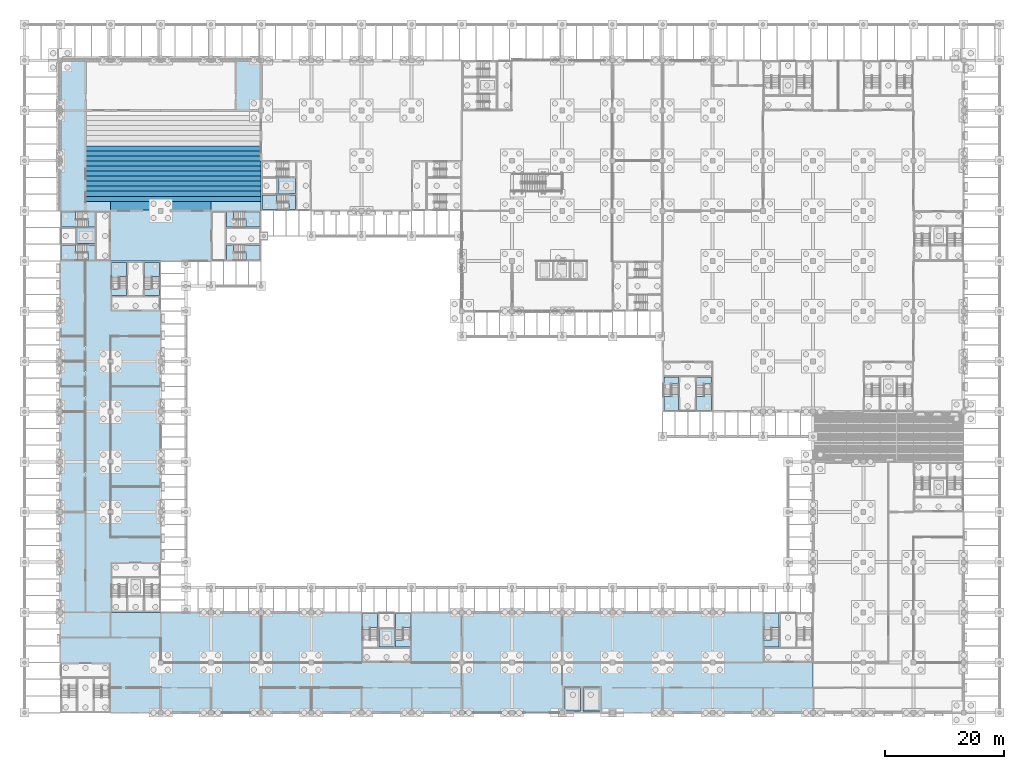
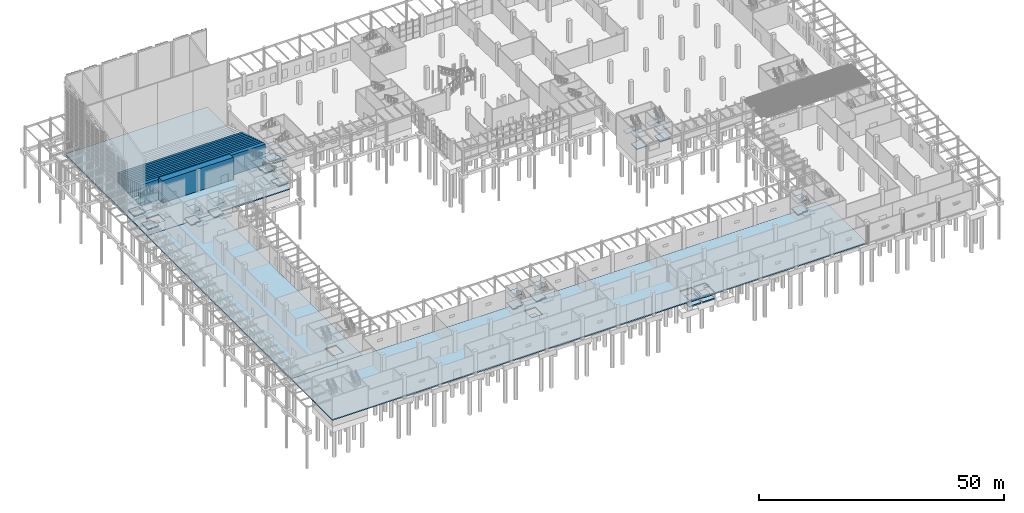
# One storey, part 21 of 82: 55 slabs, 12 elements without a shape of their own.
"""IFC4 building model written with IfcOpenShell, lengths in metres."""

from ifc_helpers import new_model, si_unit, direction, frame, origin, place, context, subcontext, project, spatial, polyline, outline, extrude, material, layer, layer_set, type_object, element, aggregate, save


model = new_model("IFC4")

# Units and contexts
model_context = context("Model", 3, precision=1e-05, world=origin(), true_north=direction((0.0, 1.0)))
body_context = subcontext(model_context, "Body", "Model", "MODEL_VIEW")
ifc_project = project(units=[si_unit("LENGTHUNIT", "METRE"), si_unit("AREAUNIT", "SQUARE_METRE"), si_unit("VOLUMEUNIT", "CUBIC_METRE"), si_unit("PLANEANGLEUNIT", "RADIAN"), si_unit("MASSUNIT", "GRAM", prefix="KILO")], contexts=[model_context])

# Site, building, storey
site_placement = place(None, origin())
site = spatial("IfcSite", under=ifc_project, at=site_placement, CompositionType="ELEMENT")
building_placement = place(site_placement, origin())
building = spatial("IfcBuilding", under=site, at=building_placement, Name="Almond Square Museum", CompositionType="ELEMENT")
storey_placement = place(building_placement, origin())
storey = spatial("IfcBuildingStorey", under=building, at=storey_placement, Name="L00", CompositionType="ELEMENT", Elevation=0.0)

# Slabs
ifc_material_1 = material(Name="Concrete C35/45", Category="concrete")
ifc_layer_1 = layer(ifc_material_1, 0.25)
ifc_layer_set_1 = layer_set([ifc_layer_1], Name="Concrete C35/45")
slab_type_1 = type_object("IfcSlabType", Name="Auditorium tier 250 riser", PredefinedType="FLOOR", material=ifc_layer_set_1)
slab_1_placement = place(storey_placement, origin())
element("IfcSlab", 1, at=slab_1_placement, inside=storey, type_object=slab_type_1, Name="Auditorium rear cross aisle", PredefinedType="FLOOR", context=body_context, shape_type="SweptSolid", body=[
    extrude(outline(polyline([(14.39990234375, 84.139892578125), (31.199951171875, 84.139892578125), (31.199951171875, 85.60009765625), (14.39990234375, 85.60009765625), (14.39990234375, 84.139892578125)])), origin(), (0.0, 0.0, 1.0), 5.5),
])
slab_2_placement = place(storey_placement, origin())
element("IfcSlab", 2, at=slab_2_placement, inside=storey, type_object=slab_type_1, Name="Auditorium tier 1", PredefinedType="FLOOR", context=body_context, shape_type="SweptSolid", body=[
    extrude(outline(polyline([(10.199951171875, 85.60009765625), (39.60009765625, 85.60009765625), (39.60009765625, 86.4443359375), (10.199951171875, 86.4443359375), (10.199951171875, 85.60009765625)])), origin(), (0.0, 0.0, 1.0), 5.0),
])
slab_3_placement = place(storey_placement, origin())
element("IfcSlab", 3, at=slab_3_placement, inside=storey, type_object=slab_type_1, Name="Auditorium tier 2", PredefinedType="FLOOR", context=body_context, shape_type="SweptSolid", body=[
    extrude(outline(polyline([(10.199951171875, 86.4443359375), (39.60009765625, 86.4443359375), (39.60009765625, 87.288818359375), (10.199951171875, 87.288818359375), (10.199951171875, 86.4443359375)])), origin(), (0.0, 0.0, 1.0), 4.75),
])
slab_4_placement = place(storey_placement, origin())
element("IfcSlab", 4, at=slab_4_placement, inside=storey, type_object=slab_type_1, Name="Auditorium tier 3", PredefinedType="FLOOR", context=body_context, shape_type="SweptSolid", body=[
    extrude(outline(polyline([(10.199951171875, 87.288818359375), (39.60009765625, 87.288818359375), (39.60009765625, 88.13330078125), (10.199951171875, 88.13330078125), (10.199951171875, 87.288818359375)])), origin(), (0.0, 0.0, 1.0), 4.5),
])
slab_5_placement = place(storey_placement, origin())
element("IfcSlab", 5, at=slab_5_placement, inside=storey, type_object=slab_type_1, Name="Auditorium tier 4", PredefinedType="FLOOR", context=body_context, shape_type="SweptSolid", body=[
    extrude(outline(polyline([(10.199951171875, 88.13330078125), (39.60009765625, 88.13330078125), (39.60009765625, 88.977783203125), (10.199951171875, 88.977783203125), (10.199951171875, 88.13330078125)])), origin(), (0.0, 0.0, 1.0), 4.25),
])
slab_6_placement = place(storey_placement, origin())
element("IfcSlab", 6, at=slab_6_placement, inside=storey, type_object=slab_type_1, Name="Auditorium tier 5", PredefinedType="FLOOR", context=body_context, shape_type="SweptSolid", body=[
    extrude(outline(polyline([(10.199951171875, 88.977783203125), (39.60009765625, 88.977783203125), (39.60009765625, 89.822265625), (10.199951171875, 89.822265625), (10.199951171875, 88.977783203125)])), origin(), (0.0, 0.0, 1.0), 4.0),
])
slab_7_placement = place(storey_placement, origin())
element("IfcSlab", 7, at=slab_7_placement, inside=storey, type_object=slab_type_1, Name="Auditorium tier 6", PredefinedType="FLOOR", context=body_context, shape_type="SweptSolid", body=[
    extrude(outline(polyline([(10.199951171875, 89.822265625), (39.60009765625, 89.822265625), (39.60009765625, 90.666748046875), (10.199951171875, 90.666748046875), (10.199951171875, 89.822265625)])), origin(), (0.0, 0.0, 1.0), 3.75),
])
slab_8_placement = place(storey_placement, origin())
element("IfcSlab", 8, at=slab_8_placement, inside=storey, type_object=slab_type_1, Name="Auditorium tier 7", PredefinedType="FLOOR", context=body_context, shape_type="SweptSolid", body=[
    extrude(outline(polyline([(10.199951171875, 90.666748046875), (39.60009765625, 90.666748046875), (39.60009765625, 91.51123046875), (10.199951171875, 91.51123046875), (10.199951171875, 90.666748046875)])), origin(), (0.0, 0.0, 1.0), 3.5),
])
slab_9_placement = place(storey_placement, origin())
element("IfcSlab", 9, at=slab_9_placement, inside=storey, type_object=slab_type_1, Name="Auditorium tier 8", PredefinedType="FLOOR", context=body_context, shape_type="SweptSolid", body=[
    extrude(outline(polyline([(10.199951171875, 91.51123046875), (39.60009765625, 91.51123046875), (39.60009765625, 92.35546875), (10.199951171875, 92.35546875), (10.199951171875, 91.51123046875)])), origin(), (0.0, 0.0, 1.0), 3.25),
])
slab_10_placement = place(storey_placement, origin())
element("IfcSlab", 10, at=slab_10_placement, inside=storey, type_object=slab_type_1, Name="Auditorium tier 9", PredefinedType="FLOOR", context=body_context, shape_type="SweptSolid", body=[
    extrude(outline(polyline([(10.199951171875, 92.35546875), (39.60009765625, 92.35546875), (39.60009765625, 93.199951171875), (10.199951171875, 93.199951171875), (10.199951171875, 92.35546875)])), origin(), (0.0, 0.0, 1.0), 3.0),
])
slab_11_placement = place(storey_placement, origin())
element("IfcSlab", 11, at=slab_11_placement, inside=storey, type_object=slab_type_1, Name="Auditorium tier 10", PredefinedType="FLOOR", context=body_context, shape_type="SweptSolid", body=[
    extrude(outline(polyline([(10.199951171875, 93.199951171875), (39.60009765625, 93.199951171875), (39.60009765625, 94.04443359375), (10.199951171875, 94.04443359375), (10.199951171875, 93.199951171875)])), origin(), (0.0, 0.0, 1.0), 2.75),
])
slab_12_placement = place(storey_placement, origin())
element("IfcSlab", 12, at=slab_12_placement, inside=storey, type_object=slab_type_1, Name="Auditorium tier 11", PredefinedType="FLOOR", context=body_context, shape_type="SweptSolid", body=[
    extrude(outline(polyline([(10.199951171875, 94.04443359375), (39.60009765625, 94.04443359375), (39.60009765625, 94.888916015625), (10.199951171875, 94.888916015625), (10.199951171875, 94.04443359375)])), origin(), (0.0, 0.0, 1.0), 2.5),
])

# Stair, slabs
ifc_material_2 = material(Name="Concrete C40/50", Category="concrete")
stair_type = type_object("IfcStairType", Name="Exit stair 32 risers of 172 mm", PredefinedType="HALF_TURN_STAIR", material=ifc_material_2)
stair_1_placement = place(storey_placement, origin())
stair_1 = element("IfcStair", 13, at=stair_1_placement, inside=storey, type_object=stair_type, Name="L00 stair H1-1", PredefinedType="HALF_TURN_STAIR")
ifc_material_3 = material(Name="Concrete C40/50", Category="concrete")
ifc_layer_2 = layer(ifc_material_3, 0.199951171875)
ifc_layer_set_2 = layer_set([ifc_layer_2], Name="Concrete C40/50")
slab_type_2 = type_object("IfcSlabType", Name="Concrete stair landing 200", PredefinedType="LANDING", material=ifc_layer_set_2)
slab_13_placement = place(storey_placement, frame((0.0, 0.0, 1.175048828125)))
slab_13 = element("IfcSlab", 14, at=slab_13_placement, type_object=slab_type_2, Name="ST-01 landing 1", PredefinedType="LANDING", context=body_context, shape_type="SweptSolid", body=[
    extrude(outline(polyline([(107.0, 52.952880859375), (107.0, 50.60009765625), (109.5, 50.60009765625), (109.5, 53.25), (108.35009765625, 53.25), (108.35009765625, 52.952880859375), (107.0, 52.952880859375)])), origin(), (0.0, 0.0, 1.0), 0.199951171875),
])
slab_14_placement = place(storey_placement, frame((0.0, 0.0, 2.550048828125)))
slab_14 = element("IfcSlab", 15, at=slab_14_placement, type_object=slab_type_2, Name="ST-01 landing 2", PredefinedType="LANDING", context=body_context, shape_type="SweptSolid", body=[
    extrude(outline(polyline([(107.0, 56.199951171875), (107.0, 55.050048828125), (107.0, 54.75), (108.14990234375, 54.75), (108.14990234375, 55.047119140625), (109.5, 55.047119140625), (109.5, 56.199951171875), (107.0, 56.199951171875)])), origin(), (0.0, 0.0, 1.0), 0.199951171875),
])
slab_15_placement = place(storey_placement, frame((0.0, 0.0, 3.925048828125)))
slab_15 = element("IfcSlab", 16, at=slab_15_placement, type_object=slab_type_2, Name="ST-01 landing 3", PredefinedType="LANDING", context=body_context, shape_type="SweptSolid", body=[
    extrude(outline(polyline([(107.0, 52.952880859375), (107.0, 50.60009765625), (109.5, 50.60009765625), (109.5, 53.25), (108.35009765625, 53.25), (108.35009765625, 52.952880859375), (107.0, 52.952880859375)])), origin(), (0.0, 0.0, 1.0), 0.199951171875),
])
aggregate(stair_1, [slab_13, slab_14, slab_15])

stair_2_placement = place(storey_placement, origin())
stair_2 = element("IfcStair", 17, at=stair_2_placement, inside=storey, type_object=stair_type, Name="L00 stair H1-2", PredefinedType="HALF_TURN_STAIR")
slab_16_placement = place(storey_placement, frame((0.0, 0.0, 1.175048828125)))
slab_16 = element("IfcSlab", 18, at=slab_16_placement, type_object=slab_type_2, Name="ST-02 landing 1", PredefinedType="LANDING", context=body_context, shape_type="SweptSolid", body=[
    extrude(outline(polyline([(112.5, 52.952880859375), (112.5, 50.60009765625), (115.0, 50.60009765625), (115.0, 53.25), (113.85009765625, 53.25), (113.85009765625, 52.952880859375), (112.5, 52.952880859375)])), origin(), (0.0, 0.0, 1.0), 0.199951171875),
])
slab_17_placement = place(storey_placement, frame((0.0, 0.0, 2.550048828125)))
slab_17 = element("IfcSlab", 19, at=slab_17_placement, type_object=slab_type_2, Name="ST-02 landing 2", PredefinedType="LANDING", context=body_context, shape_type="SweptSolid", body=[
    extrude(outline(polyline([(112.5, 56.199951171875), (112.5, 55.050048828125), (112.5, 54.75), (113.64990234375, 54.75), (113.64990234375, 55.047119140625), (115.0, 55.047119140625), (115.0, 56.199951171875), (112.5, 56.199951171875)])), origin(), (0.0, 0.0, 1.0), 0.199951171875),
])
slab_18_placement = place(storey_placement, frame((0.0, 0.0, 3.925048828125)))
slab_18 = element("IfcSlab", 20, at=slab_18_placement, type_object=slab_type_2, Name="ST-02 landing 3", PredefinedType="LANDING", context=body_context, shape_type="SweptSolid", body=[
    extrude(outline(polyline([(112.5, 52.952880859375), (112.5, 50.60009765625), (115.0, 50.60009765625), (115.0, 53.25), (113.85009765625, 53.25), (113.85009765625, 52.952880859375), (112.5, 52.952880859375)])), origin(), (0.0, 0.0, 1.0), 0.199951171875),
])
aggregate(stair_2, [slab_16, slab_17, slab_18])

stair_3_placement = place(storey_placement, origin())
stair_3 = element("IfcStair", 21, at=stair_3_placement, inside=storey, type_object=stair_type, Name="L00 stair U1-1", PredefinedType="HALF_TURN_STAIR")
slab_19_placement = place(storey_placement, frame((0.0, 0.0, 1.175048828125)))
slab_19 = element("IfcSlab", 22, at=slab_19_placement, type_object=slab_type_2, Name="ST-13 landing 1", PredefinedType="LANDING", context=body_context, shape_type="SweptSolid", body=[
    extrude(outline(polyline([(8.552978515625, 78.300048828125), (6.199951171875, 78.300048828125), (6.199951171875, 75.800048828125), (8.85009765625, 75.800048828125), (8.85009765625, 76.949951171875), (8.552978515625, 76.949951171875), (8.552978515625, 78.300048828125)])), origin(), (0.0, 0.0, 1.0), 0.199951171875),
])
slab_20_placement = place(storey_placement, frame((0.0, 0.0, 2.550048828125)))
slab_20 = element("IfcSlab", 23, at=slab_20_placement, type_object=slab_type_2, Name="ST-13 landing 2", PredefinedType="LANDING", context=body_context, shape_type="SweptSolid", body=[
    extrude(outline(polyline([(11.800048828125, 78.300048828125), (10.64990234375, 78.300048828125), (10.35009765625, 78.300048828125), (10.35009765625, 77.14990234375), (10.64697265625, 77.14990234375), (10.64697265625, 75.800048828125), (11.800048828125, 75.800048828125), (11.800048828125, 78.300048828125)])), origin(), (0.0, 0.0, 1.0), 0.199951171875),
])
slab_21_placement = place(storey_placement, frame((0.0, 0.0, 3.925048828125)))
slab_21 = element("IfcSlab", 24, at=slab_21_placement, type_object=slab_type_2, Name="ST-13 landing 3", PredefinedType="LANDING", context=body_context, shape_type="SweptSolid", body=[
    extrude(outline(polyline([(8.552978515625, 78.300048828125), (6.199951171875, 78.300048828125), (6.199951171875, 75.800048828125), (8.85009765625, 75.800048828125), (8.85009765625, 76.949951171875), (8.552978515625, 76.949951171875), (8.552978515625, 78.300048828125)])), origin(), (0.0, 0.0, 1.0), 0.199951171875),
])
aggregate(stair_3, [slab_19, slab_20, slab_21])

stair_4_placement = place(storey_placement, origin())
stair_4 = element("IfcStair", 25, at=stair_4_placement, inside=storey, type_object=stair_type, Name="L00 stair U1-2", PredefinedType="HALF_TURN_STAIR")
slab_22_placement = place(storey_placement, frame((0.0, 0.0, 1.175048828125)))
slab_22 = element("IfcSlab", 26, at=slab_22_placement, type_object=slab_type_2, Name="ST-14 landing 1", PredefinedType="LANDING", context=body_context, shape_type="SweptSolid", body=[
    extrude(outline(polyline([(8.552978515625, 83.800048828125), (6.199951171875, 83.800048828125), (6.199951171875, 81.300048828125), (8.85009765625, 81.300048828125), (8.85009765625, 82.449951171875), (8.552978515625, 82.449951171875), (8.552978515625, 83.800048828125)])), origin(), (0.0, 0.0, 1.0), 0.199951171875),
])
slab_23_placement = place(storey_placement, frame((0.0, 0.0, 2.550048828125)))
slab_23 = element("IfcSlab", 27, at=slab_23_placement, type_object=slab_type_2, Name="ST-14 landing 2", PredefinedType="LANDING", context=body_context, shape_type="SweptSolid", body=[
    extrude(outline(polyline([(11.800048828125, 83.800048828125), (10.64990234375, 83.800048828125), (10.35009765625, 83.800048828125), (10.35009765625, 82.64990234375), (10.64697265625, 82.64990234375), (10.64697265625, 81.300048828125), (11.800048828125, 81.300048828125), (11.800048828125, 83.800048828125)])), origin(), (0.0, 0.0, 1.0), 0.199951171875),
])
slab_24_placement = place(storey_placement, frame((0.0, 0.0, 3.925048828125)))
slab_24 = element("IfcSlab", 28, at=slab_24_placement, type_object=slab_type_2, Name="ST-14 landing 3", PredefinedType="LANDING", context=body_context, shape_type="SweptSolid", body=[
    extrude(outline(polyline([(8.552978515625, 83.800048828125), (6.199951171875, 83.800048828125), (6.199951171875, 81.300048828125), (8.85009765625, 81.300048828125), (8.85009765625, 82.449951171875), (8.552978515625, 82.449951171875), (8.552978515625, 83.800048828125)])), origin(), (0.0, 0.0, 1.0), 0.199951171875),
])
aggregate(stair_4, [slab_22, slab_23, slab_24])

stair_5_placement = place(storey_placement, origin())
stair_5 = element("IfcStair", 29, at=stair_5_placement, inside=storey, type_object=stair_type, Name="L00 stair U2-1", PredefinedType="HALF_TURN_STAIR")
slab_25_placement = place(storey_placement, frame((0.0, 0.0, 1.175048828125)))
slab_25 = element("IfcSlab", 30, at=slab_25_placement, type_object=slab_type_2, Name="ST-15 landing 1", PredefinedType="LANDING", context=body_context, shape_type="SweptSolid", body=[
    extrude(outline(polyline([(37.047119140625, 75.800048828125), (39.39990234375, 75.800048828125), (39.39990234375, 78.300048828125), (36.75, 78.300048828125), (36.75, 77.14990234375), (37.047119140625, 77.14990234375), (37.047119140625, 75.800048828125)])), origin(), (0.0, 0.0, 1.0), 0.199951171875),
])
slab_26_placement = place(storey_placement, frame((0.0, 0.0, 2.550048828125)))
slab_26 = element("IfcSlab", 31, at=slab_26_placement, type_object=slab_type_2, Name="ST-15 landing 2", PredefinedType="LANDING", context=body_context, shape_type="SweptSolid", body=[
    extrude(outline(polyline([(33.800048828125, 75.800048828125), (34.949951171875, 75.800048828125), (35.25, 75.800048828125), (35.25, 76.949951171875), (34.952880859375, 76.949951171875), (34.952880859375, 78.300048828125), (33.800048828125, 78.300048828125), (33.800048828125, 75.800048828125)])), origin(), (0.0, 0.0, 1.0), 0.199951171875),
])
slab_27_placement = place(storey_placement, frame((0.0, 0.0, 3.925048828125)))
slab_27 = element("IfcSlab", 32, at=slab_27_placement, type_object=slab_type_2, Name="ST-15 landing 3", PredefinedType="LANDING", context=body_context, shape_type="SweptSolid", body=[
    extrude(outline(polyline([(37.047119140625, 75.800048828125), (39.39990234375, 75.800048828125), (39.39990234375, 78.300048828125), (36.75, 78.300048828125), (36.75, 77.14990234375), (37.047119140625, 77.14990234375), (37.047119140625, 75.800048828125)])), origin(), (0.0, 0.0, 1.0), 0.199951171875),
])
aggregate(stair_5, [slab_25, slab_26, slab_27])

stair_6_placement = place(storey_placement, origin())
stair_6 = element("IfcStair", 33, at=stair_6_placement, inside=storey, type_object=stair_type, Name="L00 stair U2-2", PredefinedType="HALF_TURN_STAIR")
slab_28_placement = place(storey_placement, frame((0.0, 0.0, 1.175048828125)))
slab_28 = element("IfcSlab", 34, at=slab_28_placement, type_object=slab_type_2, Name="ST-16 landing 1", PredefinedType="LANDING", context=body_context, shape_type="SweptSolid", body=[
    extrude(outline(polyline([(37.047119140625, 81.300048828125), (39.39990234375, 81.300048828125), (39.39990234375, 83.800048828125), (36.75, 83.800048828125), (36.75, 82.64990234375), (37.047119140625, 82.64990234375), (37.047119140625, 81.300048828125)])), origin(), (0.0, 0.0, 1.0), 0.199951171875),
])
slab_29_placement = place(storey_placement, frame((0.0, 0.0, 2.550048828125)))
slab_29 = element("IfcSlab", 35, at=slab_29_placement, type_object=slab_type_2, Name="ST-16 landing 2", PredefinedType="LANDING", context=body_context, shape_type="SweptSolid", body=[
    extrude(outline(polyline([(33.800048828125, 81.300048828125), (34.949951171875, 81.300048828125), (35.25, 81.300048828125), (35.25, 82.449951171875), (34.952880859375, 82.449951171875), (34.952880859375, 83.800048828125), (33.800048828125, 83.800048828125), (33.800048828125, 81.300048828125)])), origin(), (0.0, 0.0, 1.0), 0.199951171875),
])
slab_30_placement = place(storey_placement, frame((0.0, 0.0, 3.925048828125)))
slab_30 = element("IfcSlab", 36, at=slab_30_placement, type_object=slab_type_2, Name="ST-16 landing 3", PredefinedType="LANDING", context=body_context, shape_type="SweptSolid", body=[
    extrude(outline(polyline([(37.047119140625, 81.300048828125), (39.39990234375, 81.300048828125), (39.39990234375, 83.800048828125), (36.75, 83.800048828125), (36.75, 82.64990234375), (37.047119140625, 82.64990234375), (37.047119140625, 81.300048828125)])), origin(), (0.0, 0.0, 1.0), 0.199951171875),
])
aggregate(stair_6, [slab_28, slab_29, slab_30])

stair_7_placement = place(storey_placement, origin())
stair_7 = element("IfcStair", 37, at=stair_7_placement, inside=storey, type_object=stair_type, Name="L00 stair N1-1", PredefinedType="HALF_TURN_STAIR")
slab_31_placement = place(storey_placement, frame((0.0, 0.0, 1.175048828125)))
slab_31 = element("IfcSlab", 38, at=slab_31_placement, type_object=slab_type_2, Name="ST-17 landing 1", PredefinedType="LANDING", context=body_context, shape_type="SweptSolid", body=[
    extrude(outline(polyline([(42.153076171875, 86.699951171875), (39.800048828125, 86.699951171875), (39.800048828125, 84.199951171875), (42.449951171875, 84.199951171875), (42.449951171875, 85.35009765625), (42.153076171875, 85.35009765625), (42.153076171875, 86.699951171875)])), origin(), (0.0, 0.0, 1.0), 0.199951171875),
])
slab_32_placement = place(storey_placement, frame((0.0, 0.0, 2.550048828125)))
slab_32 = element("IfcSlab", 39, at=slab_32_placement, type_object=slab_type_2, Name="ST-17 landing 2", PredefinedType="LANDING", context=body_context, shape_type="SweptSolid", body=[
    extrude(outline(polyline([(45.39990234375, 86.699951171875), (44.25, 86.699951171875), (43.949951171875, 86.699951171875), (43.949951171875, 85.550048828125), (44.2470703125, 85.550048828125), (44.2470703125, 84.199951171875), (45.39990234375, 84.199951171875), (45.39990234375, 86.699951171875)])), origin(), (0.0, 0.0, 1.0), 0.199951171875),
])
slab_33_placement = place(storey_placement, frame((0.0, 0.0, 3.925048828125)))
slab_33 = element("IfcSlab", 40, at=slab_33_placement, type_object=slab_type_2, Name="ST-17 landing 3", PredefinedType="LANDING", context=body_context, shape_type="SweptSolid", body=[
    extrude(outline(polyline([(42.153076171875, 86.699951171875), (39.800048828125, 86.699951171875), (39.800048828125, 84.199951171875), (42.449951171875, 84.199951171875), (42.449951171875, 85.35009765625), (42.153076171875, 85.35009765625), (42.153076171875, 86.699951171875)])), origin(), (0.0, 0.0, 1.0), 0.199951171875),
])
aggregate(stair_7, [slab_31, slab_32, slab_33])

stair_8_placement = place(storey_placement, origin())
stair_8 = element("IfcStair", 41, at=stair_8_placement, inside=storey, type_object=stair_type, Name="L00 stair W2-1", PredefinedType="HALF_TURN_STAIR")
slab_34_placement = place(storey_placement, frame((0.0, 0.0, 1.175048828125)))
slab_34 = element("IfcSlab", 42, at=slab_34_placement, type_object=slab_type_2, Name="ST-23 landing 1", PredefinedType="LANDING", context=body_context, shape_type="SweptSolid", body=[
    extrude(outline(polyline([(17.10009765625, 73.047119140625), (17.10009765625, 75.39990234375), (14.60009765625, 75.39990234375), (14.60009765625, 72.75), (15.75, 72.75), (15.75, 73.047119140625), (17.10009765625, 73.047119140625)])), origin(), (0.0, 0.0, 1.0), 0.199951171875),
])
slab_35_placement = place(storey_placement, frame((0.0, 0.0, 2.550048828125)))
slab_35 = element("IfcSlab", 43, at=slab_35_placement, type_object=slab_type_2, Name="ST-23 landing 2", PredefinedType="LANDING", context=body_context, shape_type="SweptSolid", body=[
    extrude(outline(polyline([(17.10009765625, 69.800048828125), (17.10009765625, 70.949951171875), (17.10009765625, 71.25), (15.949951171875, 71.25), (15.949951171875, 70.952880859375), (14.60009765625, 70.952880859375), (14.60009765625, 69.800048828125), (17.10009765625, 69.800048828125)])), origin(), (0.0, 0.0, 1.0), 0.199951171875),
])
slab_36_placement = place(storey_placement, frame((0.0, 0.0, 3.925048828125)))
slab_36 = element("IfcSlab", 44, at=slab_36_placement, type_object=slab_type_2, Name="ST-23 landing 3", PredefinedType="LANDING", context=body_context, shape_type="SweptSolid", body=[
    extrude(outline(polyline([(17.10009765625, 73.047119140625), (17.10009765625, 75.39990234375), (14.60009765625, 75.39990234375), (14.60009765625, 72.75), (15.75, 72.75), (15.75, 73.047119140625), (17.10009765625, 73.047119140625)])), origin(), (0.0, 0.0, 1.0), 0.199951171875),
])
aggregate(stair_8, [slab_34, slab_35, slab_36])

stair_9_placement = place(storey_placement, origin())
stair_9 = element("IfcStair", 45, at=stair_9_placement, inside=storey, type_object=stair_type, Name="L00 stair W2-2", PredefinedType="HALF_TURN_STAIR")
slab_37_placement = place(storey_placement, frame((0.0, 0.0, 1.175048828125)))
slab_37 = element("IfcSlab", 46, at=slab_37_placement, type_object=slab_type_2, Name="ST-24 landing 1", PredefinedType="LANDING", context=body_context, shape_type="SweptSolid", body=[
    extrude(outline(polyline([(22.60009765625, 73.047119140625), (22.60009765625, 75.39990234375), (20.10009765625, 75.39990234375), (20.10009765625, 72.75), (21.25, 72.75), (21.25, 73.047119140625), (22.60009765625, 73.047119140625)])), origin(), (0.0, 0.0, 1.0), 0.199951171875),
])
slab_38_placement = place(storey_placement, frame((0.0, 0.0, 2.550048828125)))
slab_38 = element("IfcSlab", 47, at=slab_38_placement, type_object=slab_type_2, Name="ST-24 landing 2", PredefinedType="LANDING", context=body_context, shape_type="SweptSolid", body=[
    extrude(outline(polyline([(22.60009765625, 69.800048828125), (22.60009765625, 70.949951171875), (22.60009765625, 71.25), (21.449951171875, 71.25), (21.449951171875, 70.952880859375), (20.10009765625, 70.952880859375), (20.10009765625, 69.800048828125), (22.60009765625, 69.800048828125)])), origin(), (0.0, 0.0, 1.0), 0.199951171875),
])
slab_39_placement = place(storey_placement, frame((0.0, 0.0, 3.925048828125)))
slab_39 = element("IfcSlab", 48, at=slab_39_placement, type_object=slab_type_2, Name="ST-24 landing 3", PredefinedType="LANDING", context=body_context, shape_type="SweptSolid", body=[
    extrude(outline(polyline([(22.60009765625, 73.047119140625), (22.60009765625, 75.39990234375), (20.10009765625, 75.39990234375), (20.10009765625, 72.75), (21.25, 72.75), (21.25, 73.047119140625), (22.60009765625, 73.047119140625)])), origin(), (0.0, 0.0, 1.0), 0.199951171875),
])
aggregate(stair_9, [slab_37, slab_38, slab_39])

stair_10_placement = place(storey_placement, origin())
stair_10 = element("IfcStair", 49, at=stair_10_placement, inside=storey, type_object=stair_type, Name="L00 stair S2-1", PredefinedType="HALF_TURN_STAIR")
slab_40_placement = place(storey_placement, frame((0.0, 0.0, 1.175048828125)))
slab_40 = element("IfcSlab", 50, at=slab_40_placement, type_object=slab_type_2, Name="ST-29 landing 1", PredefinedType="LANDING", context=body_context, shape_type="SweptSolid", body=[
    extrude(outline(polyline([(59.10009765625, 14.2470703125), (59.10009765625, 16.60009765625), (56.60009765625, 16.60009765625), (56.60009765625, 13.949951171875), (57.75, 13.949951171875), (57.75, 14.2470703125), (59.10009765625, 14.2470703125)])), origin(), (0.0, 0.0, 1.0), 0.199951171875),
])
slab_41_placement = place(storey_placement, frame((0.0, 0.0, 3.925048828125)))
slab_41 = element("IfcSlab", 51, at=slab_41_placement, type_object=slab_type_2, Name="ST-29 landing 3", PredefinedType="LANDING", context=body_context, shape_type="SweptSolid", body=[
    extrude(outline(polyline([(59.10009765625, 14.2470703125), (59.10009765625, 16.60009765625), (56.60009765625, 16.60009765625), (56.60009765625, 13.949951171875), (57.75, 13.949951171875), (57.75, 14.2470703125), (59.10009765625, 14.2470703125)])), origin(), (0.0, 0.0, 1.0), 0.199951171875),
])
aggregate(stair_10, [slab_40, slab_41])

stair_11_placement = place(storey_placement, origin())
stair_11 = element("IfcStair", 52, at=stair_11_placement, inside=storey, type_object=stair_type, Name="L00 stair S2-2", PredefinedType="HALF_TURN_STAIR")
slab_42_placement = place(storey_placement, frame((0.0, 0.0, 1.175048828125)))
slab_42 = element("IfcSlab", 53, at=slab_42_placement, type_object=slab_type_2, Name="ST-30 landing 1", PredefinedType="LANDING", context=body_context, shape_type="SweptSolid", body=[
    extrude(outline(polyline([(64.60009765625, 14.2470703125), (64.60009765625, 16.60009765625), (62.10009765625, 16.60009765625), (62.10009765625, 13.949951171875), (63.25, 13.949951171875), (63.25, 14.2470703125), (64.60009765625, 14.2470703125)])), origin(), (0.0, 0.0, 1.0), 0.199951171875),
])
slab_43_placement = place(storey_placement, frame((0.0, 0.0, 2.550048828125)))
slab_43 = element("IfcSlab", 54, at=slab_43_placement, type_object=slab_type_2, Name="ST-30 landing 2", PredefinedType="LANDING", context=body_context, shape_type="SweptSolid", body=[
    extrude(outline(polyline([(64.60009765625, 11.0), (64.60009765625, 12.14990234375), (64.60009765625, 12.449951171875), (63.449951171875, 12.449951171875), (63.449951171875, 12.153076171875), (62.10009765625, 12.153076171875), (62.10009765625, 11.0), (64.60009765625, 11.0)])), origin(), (0.0, 0.0, 1.0), 0.199951171875),
])
slab_44_placement = place(storey_placement, frame((0.0, 0.0, 3.925048828125)))
slab_44 = element("IfcSlab", 55, at=slab_44_placement, type_object=slab_type_2, Name="ST-30 landing 3", PredefinedType="LANDING", context=body_context, shape_type="SweptSolid", body=[
    extrude(outline(polyline([(64.60009765625, 14.2470703125), (64.60009765625, 16.60009765625), (62.10009765625, 16.60009765625), (62.10009765625, 13.949951171875), (63.25, 13.949951171875), (63.25, 14.2470703125), (64.60009765625, 14.2470703125)])), origin(), (0.0, 0.0, 1.0), 0.199951171875),
])
aggregate(stair_11, [slab_42, slab_43, slab_44])

stair_12_placement = place(storey_placement, origin())
stair_12 = element("IfcStair", 56, at=stair_12_placement, inside=storey, type_object=stair_type, Name="L00 stair S3-1", PredefinedType="HALF_TURN_STAIR")
slab_45_placement = place(storey_placement, frame((0.0, 0.0, 1.175048828125)))
slab_45 = element("IfcSlab", 57, at=slab_45_placement, type_object=slab_type_2, Name="ST-31 landing 1", PredefinedType="LANDING", context=body_context, shape_type="SweptSolid", body=[
    extrude(outline(polyline([(126.300048828125, 14.2470703125), (126.300048828125, 16.60009765625), (123.800048828125, 16.60009765625), (123.800048828125, 13.949951171875), (124.949951171875, 13.949951171875), (124.949951171875, 14.2470703125), (126.300048828125, 14.2470703125)])), origin(), (0.0, 0.0, 1.0), 0.199951171875),
])
slab_46_placement = place(storey_placement, frame((0.0, 0.0, 2.550048828125)))
slab_46 = element("IfcSlab", 58, at=slab_46_placement, type_object=slab_type_2, Name="ST-31 landing 2", PredefinedType="LANDING", context=body_context, shape_type="SweptSolid", body=[
    extrude(outline(polyline([(126.300048828125, 11.0), (126.300048828125, 12.14990234375), (126.300048828125, 12.449951171875), (125.14990234375, 12.449951171875), (125.14990234375, 12.153076171875), (123.800048828125, 12.153076171875), (123.800048828125, 11.0), (126.300048828125, 11.0)])), origin(), (0.0, 0.0, 1.0), 0.199951171875),
])
slab_47_placement = place(storey_placement, frame((0.0, 0.0, 3.925048828125)))
slab_47 = element("IfcSlab", 59, at=slab_47_placement, type_object=slab_type_2, Name="ST-31 landing 3", PredefinedType="LANDING", context=body_context, shape_type="SweptSolid", body=[
    extrude(outline(polyline([(126.300048828125, 14.2470703125), (126.300048828125, 16.60009765625), (123.800048828125, 16.60009765625), (123.800048828125, 13.949951171875), (124.949951171875, 13.949951171875), (124.949951171875, 14.2470703125), (126.300048828125, 14.2470703125)])), origin(), (0.0, 0.0, 1.0), 0.199951171875),
])
aggregate(stair_12, [slab_45, slab_46, slab_47])

# Slabs
ifc_material_4 = material(Name="Concrete C35/45", Category="concrete")
ifc_layer_3 = layer(ifc_material_4, 0.300048828125)
ifc_layer_set_3 = layer_set([ifc_layer_3], Name="Concrete C35/45")
slab_type_3 = type_object("IfcSlabType", Name="RC ground slab 300 C35/45", PredefinedType="BASESLAB", material=ifc_layer_set_3)
slab_48_placement = place(storey_placement, frame((0.0, 0.0, -0.300048828125)))
element("IfcSlab", 60, at=slab_48_placement, inside=storey, type_object=slab_type_3, Name="Ground slab V3", PredefinedType="BASESLAB", context=body_context, shape_type="SweptSolid", body=[
    extrude(outline(polyline([(22.800048828125, 75.60009765625), (6.0, 75.60009765625), (6.0, 84.0), (6.0, 100.800048828125), (6.0, 109.199951171875), (39.60009765625, 109.199951171875), (39.60009765625, 100.800048828125), (39.60009765625, 84.0), (39.60009765625, 75.60009765625), (22.800048828125, 75.60009765625)]), holes=[polyline([(11.800048828125, 81.10009765625), (8.800048828125, 81.10009765625), (8.800048828125, 78.5), (11.800048828125, 78.5), (11.800048828125, 81.10009765625)])]), origin(), (0.0, 0.0, 1.0), 0.300048828125),
])
slab_49_placement = place(storey_placement, frame((0.0, 0.0, -0.300048828125)))
element("IfcSlab", 61, at=slab_49_placement, inside=storey, type_object=slab_type_3, Name="Ground slab V4W", PredefinedType="BASESLAB", context=body_context, shape_type="SweptSolid", body=[
    extrude(outline(polyline([(22.800048828125, 75.60009765625), (22.800048828125, 16.800048828125), (6.0, 16.800048828125), (6.0, 75.60009765625), (22.800048828125, 75.60009765625)]), holes=[polyline([(19.89990234375, 22.60009765625), (17.300048828125, 22.60009765625), (17.300048828125, 19.60009765625), (19.89990234375, 19.60009765625), (19.89990234375, 22.60009765625)])]), origin(), (0.0, 0.0, 1.0), 0.300048828125),
])
slab_50_placement = place(storey_placement, frame((0.0, 0.0, -0.300048828125)))
element("IfcSlab", 62, at=slab_50_placement, inside=storey, type_object=slab_type_3, Name="Ground slab V5S", PredefinedType="BASESLAB", context=body_context, shape_type="SweptSolid", body=[
    extrude(outline(polyline([(22.800048828125, 16.800048828125), (132.0, 16.800048828125), (132.0, 0.0), (6.0, 0.0), (6.0, 16.800048828125), (22.800048828125, 16.800048828125)]), holes=[polyline([(59.300048828125, 14.0), (59.300048828125, 11.0), (61.89990234375, 11.0), (61.89990234375, 14.0), (59.300048828125, 14.0)]), polyline([(90.300048828125, 4.10009765625), (90.300048828125, 0.300048828125), (93.10009765625, 0.300048828125), (93.10009765625, 4.10009765625), (90.300048828125, 4.10009765625)]), polyline([(96.300048828125, 4.10009765625), (93.5, 4.10009765625), (93.5, 0.300048828125), (96.300048828125, 0.300048828125), (96.300048828125, 4.10009765625)])]), origin(), (0.0, 0.0, 1.0), 0.300048828125),
])
ifc_material_5 = material(Name="Concrete C35/45", Category="concrete")
ifc_layer_4 = layer(ifc_material_5, 0.300048828125)
ifc_layer_set_4 = layer_set([ifc_layer_4], Name="Concrete C35/45")
slab_type_4 = type_object("IfcSlabType", Name="RC lift pit slab 300 C35/45", PredefinedType="BASESLAB", material=ifc_layer_set_4)
slab_51_placement = place(storey_placement, frame((0.0, 0.0, -1.800048828125)))
element("IfcSlab", 63, at=slab_51_placement, inside=storey, type_object=slab_type_4, Name="Lift pit floor GL1", PredefinedType="BASESLAB", context=body_context, shape_type="SweptSolid", body=[
    extrude(outline(polyline([(90.300048828125, 0.300048828125), (93.10009765625, 0.300048828125), (93.10009765625, 4.10009765625), (90.300048828125, 4.10009765625), (90.300048828125, 0.300048828125)])), origin(), (0.0, 0.0, 1.0), 0.300048828125),
])
slab_52_placement = place(storey_placement, frame((0.0, 0.0, -1.800048828125)))
element("IfcSlab", 64, at=slab_52_placement, inside=storey, type_object=slab_type_4, Name="Lift pit floor GL2", PredefinedType="BASESLAB", context=body_context, shape_type="SweptSolid", body=[
    extrude(outline(polyline([(93.5, 0.300048828125), (96.300048828125, 0.300048828125), (96.300048828125, 4.10009765625), (93.5, 4.10009765625), (93.5, 0.300048828125)])), origin(), (0.0, 0.0, 1.0), 0.300048828125),
])
slab_53_placement = place(storey_placement, frame((0.0, 0.0, -1.800048828125)))
element("IfcSlab", 65, at=slab_53_placement, inside=storey, type_object=slab_type_4, Name="Lift pit floor PL-N1", PredefinedType="BASESLAB", context=body_context, shape_type="SweptSolid", body=[
    extrude(outline(polyline([(42.39990234375, 86.89990234375), (45.39990234375, 86.89990234375), (45.39990234375, 89.5), (42.39990234375, 89.5), (42.39990234375, 86.89990234375)])), origin(), (0.0, 0.0, 1.0), 0.300048828125),
])
slab_54_placement = place(storey_placement, frame((0.0, 0.0, -1.800048828125)))
element("IfcSlab", 66, at=slab_54_placement, inside=storey, type_object=slab_type_4, Name="Lift pit floor PL-S2", PredefinedType="BASESLAB", context=body_context, shape_type="SweptSolid", body=[
    extrude(outline(polyline([(59.300048828125, 11.0), (61.89990234375, 11.0), (61.89990234375, 14.0), (59.300048828125, 14.0), (59.300048828125, 11.0)])), origin(), (0.0, 0.0, 1.0), 0.300048828125),
])
slab_55_placement = place(storey_placement, frame((0.0, 0.0, -1.800048828125)))
element("IfcSlab", 67, at=slab_55_placement, inside=storey, type_object=slab_type_4, Name="Lift pit floor PL-U1", PredefinedType="BASESLAB", context=body_context, shape_type="SweptSolid", body=[
    extrude(outline(polyline([(8.800048828125, 78.5), (11.800048828125, 78.5), (11.800048828125, 81.10009765625), (8.800048828125, 81.10009765625), (8.800048828125, 78.5)])), origin(), (0.0, 0.0, 1.0), 0.300048828125),
])

save(model, "model.ifc")
